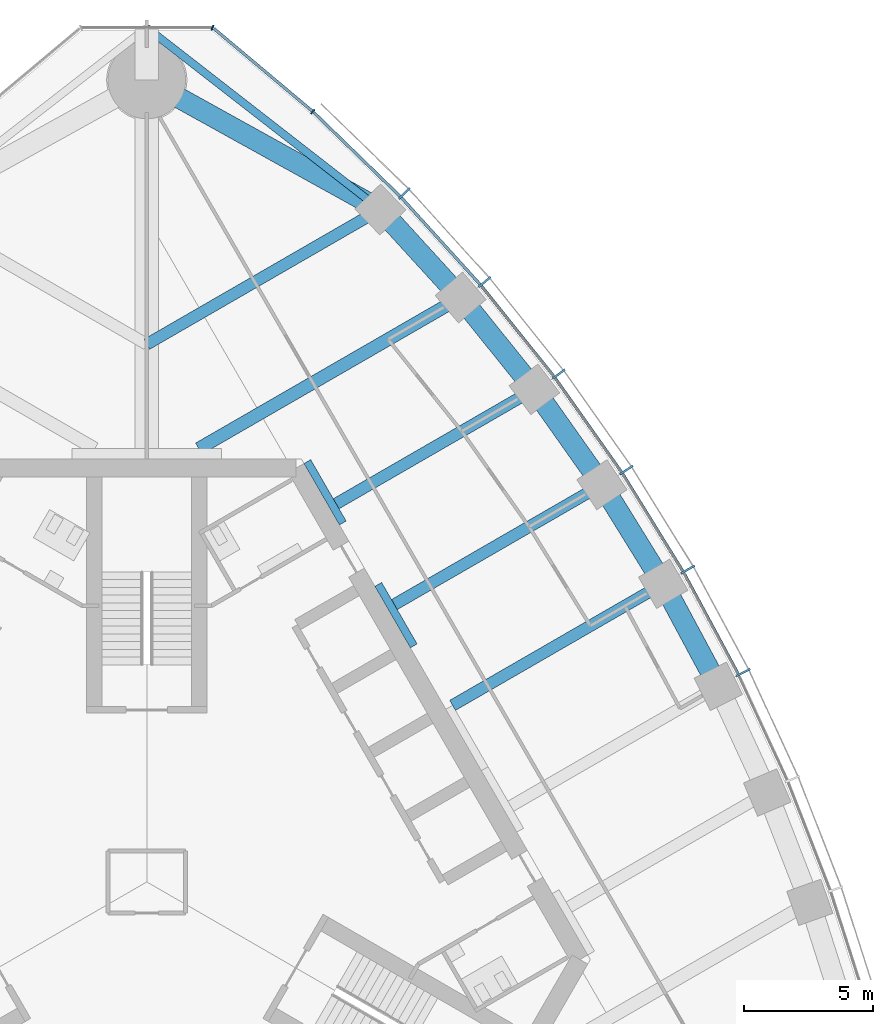
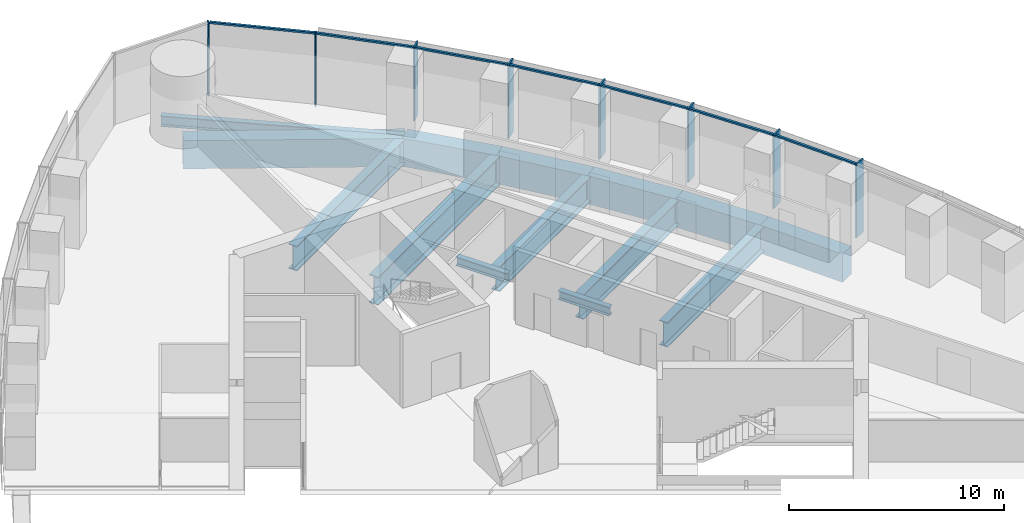
# One storey, part 6 of 15: 15 members, 14 beams, 2 elements without a shape of their own.
"""IFC4 building model written with IfcOpenShell, lengths in metres."""

from ifc_helpers import new_model, si_unit, direction, frame, origin, origin_2d, place, context, subcontext, project, spatial, rectangle, i_section, extrude, material, material_profile, profile_set, type_object, element, aggregate, save


model = new_model("IFC4")

# Units and contexts
model_context = context("Model", 3, precision=1e-05, world=origin(), true_north=direction((0.0, 1.0)))
body_context = subcontext(model_context, "Body", "Model", "MODEL_VIEW")
ifc_project = project(units=[si_unit("LENGTHUNIT", "METRE"), si_unit("AREAUNIT", "SQUARE_METRE"), si_unit("VOLUMEUNIT", "CUBIC_METRE"), si_unit("PLANEANGLEUNIT", "RADIAN"), si_unit("MASSUNIT", "GRAM", prefix="KILO")], contexts=[model_context])

# Site, building, storey
site_placement = place(None, origin())
site = spatial("IfcSite", under=ifc_project, at=site_placement, CompositionType="ELEMENT")
building_placement = place(site_placement, origin())
building = spatial("IfcBuilding", under=site, at=building_placement, Name="Trefoil Bronze Tower", CompositionType="ELEMENT")
storey_placement = place(building_placement, frame((0.0, 0.0, 276.300048828125)))
storey = spatial("IfcBuildingStorey", under=building, at=storey_placement, Name="L63", CompositionType="ELEMENT", Elevation=276.300048828125)

# Curtain wall, members
ifc_material_1 = material(Name="Tinted solar-control glass", Category="glass")
curtain_wall_type_1 = type_object("IfcCurtainWallType", Name="Bronze office curtain wall", PredefinedType="USERDEFINED", material=ifc_material_1)
curtain_wall_1_placement = place(storey_placement, origin())
curtain_wall_1 = element("IfcCurtainWall", 1, at=curtain_wall_1_placement, inside=storey, type_object=curtain_wall_type_1, Name="CW-A L63 F2", ObjectType="CURTAIN WALL", PredefinedType="USERDEFINED")
ifc_material_2 = material(Name="Bronze-finish aluminium", Category="aluminium")
ifc_material_profile_1 = material_profile(ifc_material_2, rectangle(XDim=0.60009765625, YDim=0.080078125, at=origin_2d()), Name="CW-A mullion")
ifc_profile_set_1 = profile_set([ifc_material_profile_1], Name="Bronze-finish aluminium")
member_type_1 = type_object("IfcMemberType", Name="Bronze office curtain wall mullion", PredefinedType="MULLION", material=ifc_profile_set_1)
member_1_placement = place(storey_placement, frame((23.056396484375, 8.094482421875, 0.0), z_axis=(0.0, 0.0, 1.0), x_axis=(-0.894713198289, -0.44664112306, 0.0)))
member_1 = element("IfcMember", 2, at=member_1_placement, type_object=member_type_1, Name="CW-A L63 F2 mullion 5", PredefinedType="MULLION", context=body_context, shape_type="SweptSolid", body=[
    extrude(rectangle(XDim=0.60009765625, YDim=0.080078125, at=origin_2d()), origin(), (0.0, 0.0, 1.0), 4.179931640625),
])
member_2_placement = place(storey_placement, frame((20.916015625, 12.07568359375, 0.0), z_axis=(0.0, 0.0, 1.0), x_axis=(-0.866025403784, -0.5, 0.0)))
member_2 = element("IfcMember", 3, at=member_2_placement, type_object=member_type_1, Name="CW-A L63 F2 mullion 6", PredefinedType="MULLION", context=body_context, shape_type="SweptSolid", body=[
    extrude(rectangle(XDim=0.60009765625, YDim=0.080078125, at=origin_2d()), origin(), (0.0, 0.0, 1.0), 4.179931640625),
])
member_3_placement = place(storey_placement, frame((18.538330078125, 15.920166015625, 0.0), z_axis=(0.0, 0.0, 1.0), x_axis=(-0.834159158089, -0.551523797289, 0.0)))
member_3 = element("IfcMember", 4, at=member_3_placement, type_object=member_type_1, Name="CW-A L63 F2 mullion 7", PredefinedType="MULLION", context=body_context, shape_type="SweptSolid", body=[
    extrude(rectangle(XDim=0.60009765625, YDim=0.080078125, at=origin_2d()), origin(), (0.0, 0.0, 1.0), 4.179931640625),
])
member_4_placement = place(storey_placement, frame((15.922607421875, 19.627197265625, 0.0), z_axis=(0.0, 0.0, 1.0), x_axis=(-0.799096076136, -0.601203344222, 0.0)))
member_4 = element("IfcMember", 5, at=member_4_placement, type_object=member_type_1, Name="CW-A L63 F2 mullion 8", PredefinedType="MULLION", context=body_context, shape_type="SweptSolid", body=[
    extrude(rectangle(XDim=0.60009765625, YDim=0.080078125, at=origin_2d()), origin(), (0.0, 0.0, 1.0), 4.179931640625),
])
member_5_placement = place(storey_placement, frame((13.064453125, 23.194091796875, 0.0), z_axis=(0.0, 0.0, 1.0), x_axis=(-0.760781190165, -0.649008459646, 0.0)))
member_5 = element("IfcMember", 6, at=member_5_placement, type_object=member_type_1, Name="CW-A L63 F2 mullion 9", PredefinedType="MULLION", context=body_context, shape_type="SweptSolid", body=[
    extrude(rectangle(XDim=0.60009765625, YDim=0.080078125, at=origin_2d()), origin(), (0.0, 0.0, 1.0), 4.179931640625),
])
member_6_placement = place(storey_placement, frame((9.957275390625, 26.617431640625, 0.0), z_axis=(0.0, 0.0, 1.0), x_axis=(-0.719001349715, -0.695008675564, 0.0)))
member_6 = element("IfcMember", 7, at=member_6_placement, type_object=member_type_1, Name="CW-A L63 F2 mullion 10", PredefinedType="MULLION", context=body_context, shape_type="SweptSolid", body=[
    extrude(rectangle(XDim=0.60009765625, YDim=0.080078125, at=origin_2d()), origin(), (0.0, 0.0, 1.0), 4.179931640625),
])
ifc_material_3 = material(Name="Bronze-finish aluminium", Category="aluminium")
ifc_material_profile_2 = material_profile(ifc_material_3, rectangle(XDim=0.1201171875, YDim=0.10009765625, at=origin_2d()), Name="CW-A transom")
ifc_profile_set_2 = profile_set([ifc_material_profile_2], Name="Bronze-finish aluminium")
member_type_2 = type_object("IfcMemberType", Name="Bronze office curtain wall transom", PredefinedType="USERDEFINED", material=ifc_profile_set_2)
member_7_placement = place(storey_placement, frame((22.857177734375, 8.043212890625, 4.1298828125), z_axis=(-0.473540024981, 0.880772300167, 0.0), x_axis=(-0.880772300167, -0.473540024981, 0.0)))
member_7 = element("IfcMember", 8, at=member_7_placement, type_object=member_type_2, Name="CW-A L63 F2 transom 5", ObjectType="TRANSOM", PredefinedType="USERDEFINED", context=body_context, shape_type="SweptSolid", body=[
    extrude(rectangle(XDim=0.1201171875, YDim=0.10009765625, at=origin_2d()), origin(), (0.0, 0.0, 1.0), 4.422119140625),
])
member_8_placement = place(storey_placement, frame((20.72021484375, 12.012451171875, 4.1298828125), z_axis=(-0.525978235299, 0.850498028212, 0.0), x_axis=(-0.850498028212, -0.525978235299, 0.0)))
member_8 = element("IfcMember", 9, at=member_8_placement, type_object=member_type_2, Name="CW-A L63 F2 transom 6", ObjectType="TRANSOM", PredefinedType="USERDEFINED", context=body_context, shape_type="SweptSolid", body=[
    extrude(rectangle(XDim=0.1201171875, YDim=0.10009765625, at=origin_2d()), origin(), (0.0, 0.0, 1.0), 4.422119140625),
])
member_9_placement = place(storey_placement, frame((18.3466796875, 15.84521484375, 4.1298828125), z_axis=(-0.5765665752, 0.817050172488, 0.0), x_axis=(-0.817050172488, -0.5765665752, 0.0)))
member_9 = element("IfcMember", 10, at=member_9_placement, type_object=member_type_2, Name="CW-A L63 F2 transom 7", ObjectType="TRANSOM", PredefinedType="USERDEFINED", context=body_context, shape_type="SweptSolid", body=[
    extrude(rectangle(XDim=0.1201171875, YDim=0.10009765625, at=origin_2d()), origin(), (0.0, 0.0, 1.0), 4.4384765625),
])
member_10_placement = place(storey_placement, frame((15.73583984375, 19.54052734375, 4.1298828125), z_axis=(-0.625300648488, 0.780383943325, 0.0), x_axis=(-0.780383943325, -0.625300648488, 0.0)))
member_10 = element("IfcMember", 11, at=member_10_placement, type_object=member_type_2, Name="CW-A L63 F2 transom 8", ObjectType="TRANSOM", PredefinedType="USERDEFINED", context=body_context, shape_type="SweptSolid", body=[
    extrude(rectangle(XDim=0.1201171875, YDim=0.10009765625, at=origin_2d()), origin(), (0.0, 0.0, 1.0), 4.472412109375),
])
member_11_placement = place(storey_placement, frame((12.88330078125, 23.09619140625, 4.1298828125), z_axis=(-0.672068269674, 0.740489190264, 0.0), x_axis=(-0.740489190264, -0.672068269674, 0.0)))
member_11 = element("IfcMember", 12, at=member_11_placement, type_object=member_type_2, Name="CW-A L63 F2 transom 9", ObjectType="TRANSOM", PredefinedType="USERDEFINED", context=body_context, shape_type="SweptSolid", body=[
    extrude(rectangle(XDim=0.1201171875, YDim=0.10009765625, at=origin_2d()), origin(), (0.0, 0.0, 1.0), 4.5244140625),
])
member_12_placement = place(storey_placement, frame((9.782470703125, 26.508544921875, 4.1298828125), z_axis=(-0.717224617883, 0.696842053484, 0.0), x_axis=(-0.696842053484, -0.717224617883, 0.0)))
member_12 = element("IfcMember", 13, at=member_12_placement, type_object=member_type_2, Name="CW-A L63 F2 transom 10", ObjectType="TRANSOM", PredefinedType="USERDEFINED", context=body_context, shape_type="SweptSolid", body=[
    extrude(rectangle(XDim=0.1201171875, YDim=0.10009765625, at=origin_2d()), origin(), (0.0, 0.0, 1.0), 4.6474609375),
])
aggregate(curtain_wall_1, [member_1, member_2, member_3, member_4, member_5, member_6, member_7, member_8, member_9, member_10, member_11, member_12])

ifc_material_4 = material(Name="Tinted solar-control glass", Category="glass")
curtain_wall_type_2 = type_object("IfcCurtainWallType", Name="Bronze rounded corner curtain wall", PredefinedType="USERDEFINED", material=ifc_material_4)
curtain_wall_2_placement = place(storey_placement, origin())
curtain_wall_2 = element("IfcCurtainWall", 14, at=curtain_wall_2_placement, inside=storey, type_object=curtain_wall_type_2, Name="CW-B L63 K2", ObjectType="CURTAIN WALL", PredefinedType="USERDEFINED")
ifc_material_5 = material(Name="Bronze-finish aluminium", Category="aluminium")
ifc_material_profile_3 = material_profile(ifc_material_5, rectangle(XDim=0.199951171875, YDim=0.06005859375, at=origin_2d()), Name="CW-B mullion")
ifc_profile_set_3 = profile_set([ifc_material_profile_3], Name="Bronze-finish aluminium")
member_type_3 = type_object("IfcMemberType", Name="Bronze rounded corner curtain wall mullion", PredefinedType="MULLION", material=ifc_profile_set_3)
member_13_placement = place(storey_placement, frame((6.4150390625, 29.77978515625, 0.0), z_axis=(0.0, 0.0, 1.0), x_axis=(-0.642787609687, -0.766044443119, 0.0)))
member_13 = element("IfcMember", 15, at=member_13_placement, type_object=member_type_3, Name="CW-B L63 K2 mullion 1", PredefinedType="MULLION", context=body_context, shape_type="SweptSolid", body=[
    extrude(rectangle(XDim=0.199951171875, YDim=0.06005859375, at=origin_2d()), origin(), (0.0, 0.0, 1.0), 4.179931640625),
])
member_14_placement = place(storey_placement, frame((2.542236328125, 33.021484375, 0.0), z_axis=(0.0, 0.0, 1.0), x_axis=(-0.342020143326, -0.939692620786, 0.0)))
member_14 = element("IfcMember", 16, at=member_14_placement, type_object=member_type_3, Name="CW-B L63 K2 mullion 2", PredefinedType="MULLION", context=body_context, shape_type="SweptSolid", body=[
    extrude(rectangle(XDim=0.199951171875, YDim=0.06005859375, at=origin_2d()), origin(), (0.0, 0.0, 1.0), 4.179931640625),
])
ifc_material_6 = material(Name="Bronze-finish aluminium", Category="aluminium")
ifc_material_profile_4 = material_profile(ifc_material_6, rectangle(XDim=0.1201171875, YDim=0.10009765625, at=origin_2d()), Name="CW-B transom")
ifc_profile_set_4 = profile_set([ifc_material_profile_4], Name="Bronze-finish aluminium")
member_type_4 = type_object("IfcMemberType", Name="Bronze rounded corner curtain wall transom", PredefinedType="USERDEFINED", material=ifc_profile_set_4)
member_15_placement = place(storey_placement, frame((6.39208984375, 29.799072265625, 4.1298828125), z_axis=(-0.766040522511, 0.642792282056, 0.0), x_axis=(-0.642792282056, -0.766040522511, 0.0)))
member_15 = element("IfcMember", 17, at=member_15_placement, type_object=member_type_4, Name="CW-B L63 K2 transom 1", ObjectType="TRANSOM", PredefinedType="USERDEFINED", context=body_context, shape_type="SweptSolid", body=[
    extrude(rectangle(XDim=0.1201171875, YDim=0.10009765625, at=origin_2d()), origin(), (0.0, 0.0, 1.0), 4.9560546875),
])
aggregate(curtain_wall_2, [member_13, member_14, member_15])

# Beams
ifc_material_7 = material(Name="Steel C355", Category="steel")
ifc_material_profile_5 = material_profile(ifc_material_7, i_section(OverallWidth=0.300048828125, OverallDepth=0.5, WebThickness=0.014404296875, FlangeThickness=0.028076171875, FilletRadius=0.027099609375, at=origin_2d()), Name="HEB 500")
ifc_profile_set_5 = profile_set([ifc_material_profile_5], Name="Steel C355")
beam_type_1 = type_object("IfcBeamType", Name="Core seat beam HEB 500", PredefinedType="BEAM", material=ifc_profile_set_5)
for number, where, z_axis, x_axis, name in (
    (18, (10.320068359375, 9.125, -0.449951171875), (-0.499969057507, 0.866043267704, 0.0), (-0.866043267704, -0.499969057507, 0.0), "Core seat beam F2/+1 L63"),
    (19, (7.57763671875, 13.875, -0.449951171875), (-0.499969057507, 0.866043267704, 0.0), (-0.866043267704, -0.499969057507, 0.0), "Core seat beam F2/+2 L63"),
):
    element("IfcBeam", number, at=place(storey_placement, frame(where, z_axis=z_axis, x_axis=x_axis)), inside=storey, type_object=beam_type_1, Name=name, PredefinedType="BEAM", context=body_context, shape_type="SweptSolid", body=[
        extrude(i_section(OverallWidth=0.300048828125, OverallDepth=0.5, WebThickness=0.014404296875, FlangeThickness=0.028076171875, FilletRadius=0.027099609375, at=origin_2d()), origin(), (0.0, 0.0, 1.0), 2.742431640625),
    ])
ifc_material_8 = material(Name="Steel C355", Category="steel")
ifc_material_profile_6 = material_profile(ifc_material_8, i_section(OverallWidth=0.300048828125, OverallDepth=0.60009765625, WebThickness=0.015380859375, FlangeThickness=0.030029296875, FilletRadius=0.027099609375, at=origin_2d()), Name="HEB 600")
ifc_profile_set_6 = profile_set([ifc_material_profile_6], Name="Steel C355")
beam_type_2 = type_object("IfcBeamType", Name="Corner edge beam HEB 600", PredefinedType="BEAM", material=ifc_profile_set_6)
beam_1_placement = place(storey_placement, frame((9.02734375, 25.99658203125, -0.5), z_axis=(-0.789270604977, 0.614045529354, 0.0), x_axis=(-0.614045529354, -0.789270604977, 0.0)))
element("IfcBeam", 20, at=beam_1_placement, inside=storey, type_object=beam_type_2, Name="Corner edge beam F2A L63", PredefinedType="BEAM", context=body_context, shape_type="SweptSolid", body=[
    extrude(i_section(OverallWidth=0.300048828125, OverallDepth=0.60009765625, WebThickness=0.015380859375, FlangeThickness=0.030029296875, FilletRadius=0.027099609375, at=origin_2d()), origin(), (0.0, 0.0, 1.0), 11.4375),
])
ifc_material_9 = material(Name="Concrete B80", Category="concrete")
ifc_material_profile_7 = material_profile(ifc_material_9, rectangle(XDim=0.800048828125, YDim=1.60009765625, at=origin_2d()), Name="RC 800x1600")
ifc_profile_set_7 = profile_set([ifc_material_profile_7], Name="Concrete B80")
beam_type_3 = type_object("IfcBeamType", Name="End spandrel beam RC 800x1600", PredefinedType="SPANDREL", material=ifc_profile_set_7)
beam_2_placement = place(storey_placement, frame((9.02734375, 25.99658203125, -1.0), z_axis=(-0.874641085074, 0.484771051426, 0.0), x_axis=(-0.484771051426, -0.874641085074, 0.0)))
element("IfcBeam", 21, at=beam_2_placement, inside=storey, type_object=beam_type_3, Name="Spandrel F2.10 L63", PredefinedType="SPANDREL", context=body_context, shape_type="SweptSolid", body=[
    extrude(rectangle(XDim=0.800048828125, YDim=1.60009765625, at=origin_2d()), origin(), (0.0, 0.0, 1.0), 10.3212890625),
])
ifc_material_10 = material(Name="Steel C355", Category="steel")
ifc_material_profile_8 = material_profile(ifc_material_10, i_section(OverallWidth=0.449951171875, OverallDepth=1.39990234375, WebThickness=0.02294921875, FlangeThickness=0.044921875, FilletRadius=0.011962890625, at=origin_2d()), Name="WPG 1400")
ifc_profile_set_8 = profile_set([ifc_material_profile_8], Name="Steel C355")
beam_type_4 = type_object("IfcBeamType", Name="Floor beam WPG 1400", PredefinedType="BEAM", material=ifc_profile_set_8)
beam_3_placement = place(storey_placement, frame((19.96337890625, 11.52587890625, -0.900146484375), z_axis=(-0.866021259968, -0.500007177232, 0.0), x_axis=(0.500007177232, -0.866021259968, 0.0)))
element("IfcBeam", 22, at=beam_3_placement, inside=storey, type_object=beam_type_4, Name="Floor beam F2/+0 L63", PredefinedType="BEAM", context=body_context, shape_type="SweptSolid", body=[
    extrude(i_section(OverallWidth=0.449951171875, OverallDepth=1.39990234375, WebThickness=0.02294921875, FlangeThickness=0.044921875, FilletRadius=0.011962890625, at=origin_2d()), origin(), (0.0, 0.0, 1.0), 9.401611328125),
])
beam_4_placement = place(storey_placement, frame((17.593994140625, 15.35400390625, -0.900146484375), z_axis=(-0.866028909405, -0.499993928037, 0.0), x_axis=(0.499993928037, -0.866028909405, 0.0)))
element("IfcBeam", 23, at=beam_4_placement, inside=storey, type_object=beam_type_4, Name="Floor beam F2/+1 L63", PredefinedType="BEAM", context=body_context, shape_type="SweptSolid", body=[
    extrude(i_section(OverallWidth=0.449951171875, OverallDepth=1.39990234375, WebThickness=0.02294921875, FlangeThickness=0.044921875, FilletRadius=0.011962890625, at=origin_2d()), origin(), (0.0, 0.0, 1.0), 9.263671875),
])
beam_5_placement = place(storey_placement, frame((14.98486328125, 19.043701171875, -0.900146484375), z_axis=(-0.866025701847, -0.499999483739, 0.0), x_axis=(0.499999483739, -0.866025701847, 0.0)))
element("IfcBeam", 24, at=beam_5_placement, inside=storey, type_object=beam_type_4, Name="Floor beam F2/+2 L63", PredefinedType="BEAM", context=body_context, shape_type="SweptSolid", body=[
    extrude(i_section(OverallWidth=0.449951171875, OverallDepth=1.39990234375, WebThickness=0.02294921875, FlangeThickness=0.044921875, FilletRadius=0.011962890625, at=origin_2d()), origin(), (0.0, 0.0, 1.0), 8.84912109375),
])
beam_6_placement = place(storey_placement, frame((9.02734375, 25.99658203125, -0.900146484375), z_axis=(-0.866026453994, -0.499998180979, 0.0), x_axis=(0.499998180979, -0.866026453994, 0.0)))
element("IfcBeam", 25, at=beam_6_placement, inside=storey, type_object=beam_type_4, Name="Floor beam F2/+4 L63", PredefinedType="BEAM", context=body_context, shape_type="SweptSolid", body=[
    extrude(i_section(OverallWidth=0.449951171875, OverallDepth=1.39990234375, WebThickness=0.02294921875, FlangeThickness=0.044921875, FilletRadius=0.011962890625, at=origin_2d()), origin(), (0.0, 0.0, 1.0), 10.423828125),
])
ifc_material_11 = material(Name="Steel C355", Category="steel")
ifc_material_profile_9 = material_profile(ifc_material_11, i_section(OverallWidth=0.5, OverallDepth=1.60009765625, WebThickness=0.02587890625, FlangeThickness=0.050048828125, FilletRadius=0.011962890625, at=origin_2d()), Name="WPG 1600")
ifc_profile_set_9 = profile_set([ifc_material_profile_9], Name="Steel C355")
beam_type_5 = type_object("IfcBeamType", Name="Floor beam WPG 1600", PredefinedType="BEAM", material=ifc_profile_set_9)
beam_7_placement = place(storey_placement, frame((12.131591796875, 22.5927734375, -1.0), z_axis=(-0.866017882563, -0.500013026912, 0.0), x_axis=(0.500013026912, -0.866017882563, 0.0)))
element("IfcBeam", 26, at=beam_7_placement, inside=storey, type_object=beam_type_5, Name="Floor beam F2/+3 L63", PredefinedType="BEAM", context=body_context, shape_type="SweptSolid", body=[
    extrude(i_section(OverallWidth=0.5, OverallDepth=1.60009765625, WebThickness=0.02587890625, FlangeThickness=0.050048828125, FilletRadius=0.011962890625, at=origin_2d()), origin(), (0.0, 0.0, 1.0), 11.685302734375),
])
ifc_material_12 = material(Name="Concrete B80", Category="concrete")
ifc_material_profile_10 = material_profile(ifc_material_12, rectangle(XDim=0.800048828125, YDim=1.60009765625, at=origin_2d()), Name="RC 800x1600")
ifc_profile_set_10 = profile_set([ifc_material_profile_10], Name="Concrete B80")
beam_type_6 = type_object("IfcBeamType", Name="Spandrel beam RC 800x1600", PredefinedType="SPANDREL", material=ifc_profile_set_10)
beam_8_placement = place(storey_placement, frame((22.093994140625, 7.559814453125, -1.0), z_axis=(-0.473245885676, 0.880930378458, 0.0), x_axis=(-0.880930378458, -0.473245885676, 0.0)))
element("IfcBeam", 27, at=beam_8_placement, inside=storey, type_object=beam_type_6, Name="Spandrel F2.5 L63", PredefinedType="SPANDREL", context=body_context, shape_type="SweptSolid", body=[
    extrude(rectangle(XDim=0.800048828125, YDim=1.60009765625, at=origin_2d()), origin(), (0.0, 0.0, 1.0), 4.502197265625),
])
beam_9_placement = place(storey_placement, frame((19.96337890625, 11.52587890625, -1.0), z_axis=(-0.526289271956, 0.850305593433, 0.0), x_axis=(-0.850305593433, -0.526289271956, 0.0)))
element("IfcBeam", 28, at=beam_9_placement, inside=storey, type_object=beam_type_6, Name="Spandrel F2.6 L63", PredefinedType="SPANDREL", context=body_context, shape_type="SweptSolid", body=[
    extrude(rectangle(XDim=0.800048828125, YDim=1.60009765625, at=origin_2d()), origin(), (0.0, 0.0, 1.0), 4.501953125),
])
beam_10_placement = place(storey_placement, frame((17.593994140625, 15.35400390625, -1.0), z_axis=(-0.577368105169, 0.816483968693, 0.0), x_axis=(-0.816483968693, -0.577368105169, 0.0)))
element("IfcBeam", 29, at=beam_10_placement, inside=storey, type_object=beam_type_6, Name="Spandrel F2.7 L63", PredefinedType="SPANDREL", context=body_context, shape_type="SweptSolid", body=[
    extrude(rectangle(XDim=0.800048828125, YDim=1.60009765625, at=origin_2d()), origin(), (0.0, 0.0, 1.0), 4.51904296875),
])
beam_11_placement = place(storey_placement, frame((14.98486328125, 19.043701171875, -1.0), z_axis=(-0.626569682592, 0.779365403939, 0.0), x_axis=(-0.779365403939, -0.626569682592, 0.0)))
element("IfcBeam", 30, at=beam_11_placement, inside=storey, type_object=beam_type_6, Name="Spandrel F2.8 L63", PredefinedType="SPANDREL", context=body_context, shape_type="SweptSolid", body=[
    extrude(rectangle(XDim=0.800048828125, YDim=1.60009765625, at=origin_2d()), origin(), (0.0, 0.0, 1.0), 4.5537109375),
])
beam_12_placement = place(storey_placement, frame((12.131591796875, 22.5927734375, -1.0), z_axis=(-0.673845775847, 0.738872025707, 0.0), x_axis=(-0.738872025707, -0.673845775847, 0.0)))
element("IfcBeam", 31, at=beam_12_placement, inside=storey, type_object=beam_type_6, Name="Spandrel F2.9 L63", PredefinedType="SPANDREL", context=body_context, shape_type="SweptSolid", body=[
    extrude(rectangle(XDim=0.800048828125, YDim=1.60009765625, at=origin_2d()), origin(), (0.0, 0.0, 1.0), 4.606689453125),
])

save(model, "model.ifc")
